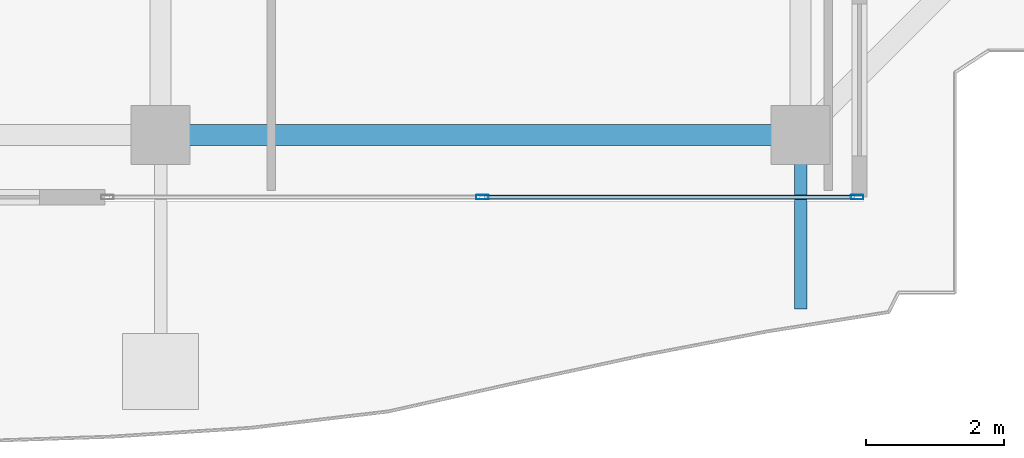
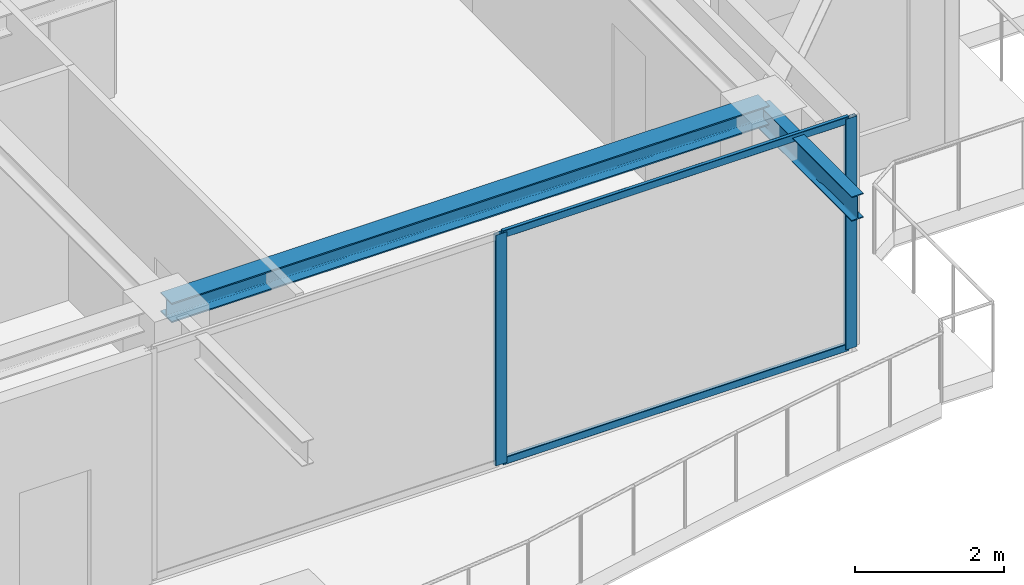
# One storey, part 10 of 36: 4 members, 2 beams, 1 element without a shape of its own.
"""IFC4 building model written with IfcOpenShell, lengths in metres."""

from ifc_helpers import new_model, si_unit, direction, frame, origin, origin_2d, place, context, subcontext, project, spatial, hollow_rectangle, i_section, extrude, source, transform, mapped, material, layer, layer_set, material_profile, profile_set, type_object, element, aggregate, save


model = new_model("IFC4")

# Units and contexts
model_context = context("Model", 3, precision=1e-05, world=origin(), true_north=direction((0.0, 1.0)))
body_context = subcontext(model_context, "Body", "Model", "MODEL_VIEW")
ifc_project = project(units=[si_unit("LENGTHUNIT", "METRE"), si_unit("AREAUNIT", "SQUARE_METRE"), si_unit("VOLUMEUNIT", "CUBIC_METRE"), si_unit("PLANEANGLEUNIT", "RADIAN"), si_unit("MASSUNIT", "GRAM", prefix="KILO")], contexts=[model_context])

# Site, building, storey
site_placement = place(None, origin())
site = spatial("IfcSite", under=ifc_project, at=site_placement, CompositionType="ELEMENT")
building_placement = place(site_placement, origin())
building = spatial("IfcBuilding", under=site, at=building_placement, Name="Serunith Strait Residences", CompositionType="ELEMENT")
storey_placement = place(building_placement, frame((0.0, 0.0, 338.0)))
storey = spatial("IfcBuildingStorey", under=building, at=storey_placement, Name="L84", CompositionType="ELEMENT", Elevation=338.0)

# Beams
ifc_material_1 = material(Name="Steel S355J2", Category="steel")
ifc_material_profile_1 = material_profile(ifc_material_1, i_section(OverallWidth=0.300048828125, OverallDepth=0.320068359375, WebThickness=0.011474609375, FlangeThickness=0.0205078125, FilletRadius=0.027099609375, at=origin_2d()), Name="HEB 320")
ifc_profile_set_1 = profile_set([ifc_material_profile_1], Name="Steel S355J2")
beam_type_1 = type_object("IfcBeamType", Name="BM-HEB320", PredefinedType="BEAM", material=ifc_profile_set_1)
shared_shape_1 = source(origin(), body_context, "Body", "SweptSolid", [
    extrude(i_section(OverallWidth=0.300048828125, OverallDepth=0.320068359375, WebThickness=0.011474609375, FlangeThickness=0.0205078125, FilletRadius=0.027099609375, at=origin_2d()), origin(), (0.0, 0.0, 1.0), 9.25),
])
beam_1_placement = place(storey_placement, frame((36.89990234375, 4.89990234375, 3.626953125), z_axis=(1.0, 0.0, 0.0), x_axis=(0.0, 1.0, 0.0)))
element("IfcBeam", 1, at=beam_1_placement, inside=storey, type_object=beam_type_1, Name="L84 Perimeter Ring Beam 03", PredefinedType="BEAM", context=body_context, shape_type="MappedRepresentation", body=[
    mapped(shared_shape_1, transform((0.0, 0.0, 0.0), scale=1.0)),
])
ifc_material_profile_2 = material_profile(ifc_material_1, i_section(OverallWidth=0.179931640625, OverallDepth=0.39990234375, WebThickness=0.008544921875, FlangeThickness=0.013427734375, FilletRadius=0.02099609375, at=origin_2d()), Name="IPE 400")
ifc_profile_set_2 = profile_set([ifc_material_profile_2], Name="Steel S355J2")
beam_type_2 = type_object("IfcBeamType", Name="BM-IPE400", PredefinedType="JOIST", material=ifc_profile_set_2)
shared_shape_2 = source(origin(), body_context, "Body", "SweptSolid", [
    extrude(i_section(OverallWidth=0.179931640625, OverallDepth=0.39990234375, WebThickness=0.008544921875, FlangeThickness=0.013427734375, FilletRadius=0.02099609375, at=origin_2d()), origin(), (0.0, 0.0, 1.0), 2.5166015625),
])
beam_2_placement = place(storey_placement, frame((46.14990234375, 4.89990234375, 3.556884765625), z_axis=(0.0, -1.0, 0.0), x_axis=(1.0, 0.0, 0.0)))
element("IfcBeam", 2, at=beam_2_placement, inside=storey, type_object=beam_type_2, Name="L85 Cantilevered Balcony Rib TC-S4", PredefinedType="JOIST", context=body_context, shape_type="MappedRepresentation", body=[
    mapped(shared_shape_2, transform((0.0, 0.0, 0.0), scale=1.0)),
])

# Curtain wall, members
ifc_material_2 = material(Name="Brushed Stainless-Silver Aluminium", Category="aluminium")
ifc_layer = layer(ifc_material_2, 0.199951171875, Name="Brushed Stainless-Silver Aluminium")
ifc_layer_set = layer_set([ifc_layer], Name="Brushed Stainless-Silver Aluminium")
curtain_wall_type = type_object("IfcCurtainWallType", Name="CW-SYS5", PredefinedType="NOTDEFINED", material=ifc_layer_set)
curtain_wall_placement = place(storey_placement, origin())
curtain_wall = element("IfcCurtainWall", 3, at=curtain_wall_placement, inside=storey, type_object=curtain_wall_type, Name="L84 S Unitised Fritted Curtain Wall", PredefinedType="NOTDEFINED")
ifc_material_profile_3 = material_profile(ifc_material_2, hollow_rectangle(XDim=0.06494140625, YDim=0.179931640625, WallThickness=0.00341796875, InnerFilletRadius=0.00537109375, OuterFilletRadius=0.0087890625, at=origin_2d()), Name="ALU 180x65x3.5")
ifc_profile_set_3 = profile_set([ifc_material_profile_3], Name="Brushed Stainless-Silver Aluminium")
member_type_1 = type_object("IfcMemberType", Name="CW-SYS5-MULL", PredefinedType="MULLION", material=ifc_profile_set_3)
shared_shape_3 = source(origin(), body_context, "Body", "SweptSolid", [
    extrude(hollow_rectangle(XDim=0.06494140625, YDim=0.179931640625, WallThickness=0.00341796875, InnerFilletRadius=0.00537109375, OuterFilletRadius=0.0087890625, at=origin_2d()), origin(), (0.0, 0.0, 1.0), 3.77490234375),
])
member_1_placement = place(storey_placement, frame((41.550048828125, 4.0, 0.0), z_axis=(0.0, 0.0, 1.0), x_axis=(0.0, 1.0, 0.0)))
member_1 = element("IfcMember", 4, at=member_1_placement, type_object=member_type_1, Name="CW-5 mullion 2", PredefinedType="MULLION", context=body_context, shape_type="MappedRepresentation", body=[
    mapped(shared_shape_3, transform((0.0, 0.0, 0.0), scale=1.0)),
])
member_2_placement = place(storey_placement, frame((46.967529296875, 4.0, 0.0), z_axis=(0.0, 0.0, 1.0), x_axis=(0.0, 1.0, 0.0)))
member_2 = element("IfcMember", 5, at=member_2_placement, type_object=member_type_1, Name="CW-5 mullion 3", PredefinedType="MULLION", context=body_context, shape_type="MappedRepresentation", body=[
    mapped(shared_shape_3, transform((0.0, 0.0, 0.0), scale=1.0)),
])
ifc_material_profile_4 = material_profile(ifc_material_2, hollow_rectangle(XDim=0.06005859375, YDim=0.1201171875, WallThickness=0.00341796875, InnerFilletRadius=0.00537109375, OuterFilletRadius=0.0087890625, at=origin_2d()), Name="ALU 120x60x3.5")
ifc_profile_set_4 = profile_set([ifc_material_profile_4], Name="Brushed Stainless-Silver Aluminium")
member_type_2 = type_object("IfcMemberType", Name="CW-SYS5-TRAN", PredefinedType="USERDEFINED", material=ifc_profile_set_4)
shared_shape_4 = source(origin(), body_context, "Body", "SweptSolid", [
    extrude(hollow_rectangle(XDim=0.06005859375, YDim=0.1201171875, WallThickness=0.00341796875, InnerFilletRadius=0.00537109375, OuterFilletRadius=0.0087890625, at=origin_2d()), origin(), (0.0, 0.0, 1.0), 5.3525390625),
])
member_3_placement = place(storey_placement, frame((41.58251953125, 4.0, 0.030029296875), z_axis=(1.0, 0.0, 0.0), x_axis=(0.0, 1.0, 0.0)))
member_3 = element("IfcMember", 6, at=member_3_placement, type_object=member_type_2, Name="CW-5 transom 2.1", ObjectType="TRANSOM", PredefinedType="USERDEFINED", context=body_context, shape_type="MappedRepresentation", body=[
    mapped(shared_shape_4, transform((0.0, 0.0, 0.0), scale=1.0)),
])
member_4_placement = place(storey_placement, frame((41.58251953125, 4.0, 3.7451171875), z_axis=(1.0, 0.0, 0.0), x_axis=(0.0, 1.0, 0.0)))
member_4 = element("IfcMember", 7, at=member_4_placement, type_object=member_type_2, Name="CW-5 transom 2.2", ObjectType="TRANSOM", PredefinedType="USERDEFINED", context=body_context, shape_type="MappedRepresentation", body=[
    mapped(shared_shape_4, transform((0.0, 0.0, 0.0), scale=1.0)),
])
aggregate(curtain_wall, [member_1, member_2, member_3, member_4])

save(model, "model.ifc")
